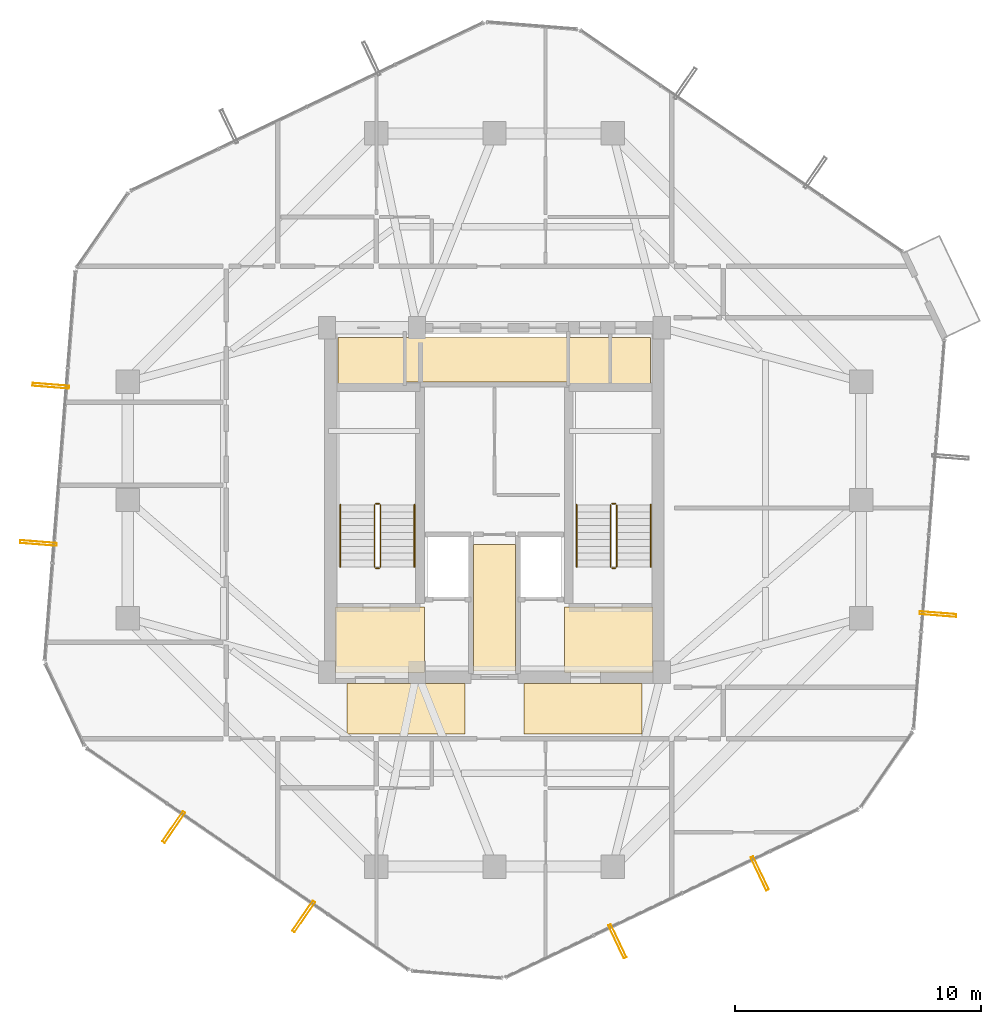
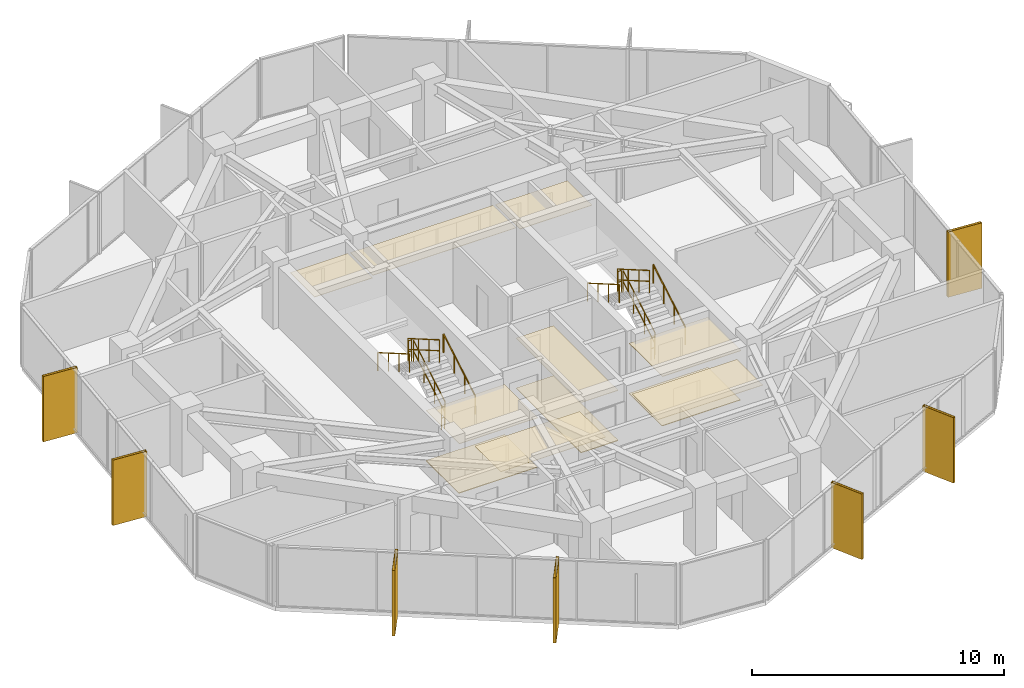
# One storey, part 28 of 29: 12 railings, 11 coverings, 7 shading devices.
"""IFC4 building model written with IfcOpenShell, lengths in metres."""

from ifc_helpers import new_model, si_unit, direction, frame, origin, origin_2d, place, context, subcontext, project, spatial, polyline, hollow_rectangle, circle, outline, extrude, material, layer, layer_set, material_profile, profile_set, type_object, element, save


model = new_model("IFC4")

# Units and contexts
model_context = context("Model", 3, precision=1e-05, world=origin(), true_north=direction((0.0, 1.0)))
body_context = subcontext(model_context, "Body", "Model", "MODEL_VIEW")
ifc_project = project(units=[si_unit("LENGTHUNIT", "METRE"), si_unit("AREAUNIT", "SQUARE_METRE"), si_unit("VOLUMEUNIT", "CUBIC_METRE"), si_unit("PLANEANGLEUNIT", "RADIAN"), si_unit("MASSUNIT", "GRAM", prefix="KILO")], contexts=[model_context])

# Site, building, storey
site_placement = place(None, origin())
site = spatial("IfcSite", under=ifc_project, at=site_placement, CompositionType="ELEMENT")
building_placement = place(site_placement, origin())
building = spatial("IfcBuilding", under=site, at=building_placement, Name="Veraguas Prism Commons", CompositionType="ELEMENT")
storey_placement = place(building_placement, frame((0.0, 0.0, 222.14990234375)))
storey = spatial("IfcBuildingStorey", under=building, at=storey_placement, Name="L63", CompositionType="ELEMENT", Elevation=222.14990234375)

# Shading devices
ifc_material_1 = material(Name="Anodised aluminium EN AW-6063 T6", Category="aluminium")
ifc_material_profile = material_profile(ifc_material_1, hollow_rectangle(XDim=0.1201171875, YDim=1.489990234375, WallThickness=0.006103515625, at=origin_2d()), Name="FIN120X1490X6")
ifc_profile_set = profile_set([ifc_material_profile], Name="Anodised aluminium EN AW-6063 T6")
shading_device_type = type_object("IfcShadingDeviceType", Name="Deep Pale-Metal Vertical Solar Fin 120x1490", PredefinedType="USERDEFINED", material=ifc_profile_set)
for number, where, z_axis, x_axis, name in (
    (1, (5.974365234375, 28.639404296875, -0.21484375), (0.0, 0.0, 1.0), (-0.078808820639, -0.996889748061, 0.0), "Vertical Pale-Metal Solar Fin L63-F3A"),
    (2, (5.46923828125, 22.25048828125, -0.21484375), (0.0, 0.0, 1.0), (-0.078808820639, -0.996889748061, 0.0), "Vertical Pale-Metal Solar Fin L63-F3B"),
    (3, (10.96923828125, 10.708984375, -0.21484375), (0.0, 0.0, 1.0), (0.823925458129, -0.566698190792, 0.0), "Vertical Pale-Metal Solar Fin L63-F4A"),
    (4, (16.249755859375, 7.0771484375, -0.21484375), (0.0, 0.0, 1.0), (0.823925458129, -0.566698190792, 0.0), "Vertical Pale-Metal Solar Fin L63-F4B"),
    (5, (28.9951171875, 6.069580078125, -0.21484375), (0.0, 0.0, 1.0), (0.902734755245, 0.430197584457, 0.0), "Vertical Pale-Metal Solar Fin L63-F5A"),
    (6, (34.780517578125, 8.826904296875, -0.21484375), (0.0, 0.0, 1.0), (0.902734755245, 0.430197584457, 0.0), "Vertical Pale-Metal Solar Fin L63-F5B"),
    (7, (42.025634765625, 19.360595703125, -0.21484375), (0.0, 0.0, 1.0), (0.078808820639, 0.996889748061, 0.0), "Vertical Pale-Metal Solar Fin L63-F6A"),
):
    element("IfcShadingDevice", number, at=place(storey_placement, frame(where, z_axis=z_axis, x_axis=x_axis)), inside=storey, type_object=shading_device_type, Name=name, ObjectType="FIN", PredefinedType="USERDEFINED", context=body_context, shape_type="SweptSolid", body=[
        extrude(hollow_rectangle(XDim=0.1201171875, YDim=1.489990234375, WallThickness=0.006103515625, at=origin_2d()), origin(), (0.0, 0.0, 1.0), 3.1650390625),
    ])

# Coverings
ifc_material_2 = material(Name="Acoustic gypsum board")
ifc_layer_1 = layer(ifc_material_2, 0.02490234375, Name="Perforated Acoustic Ceiling Tile 25")
ifc_layer_set_1 = layer_set([ifc_layer_1], Name="Acoustic gypsum board")
covering_type_1 = type_object("IfcCoveringType", Name="Perforated Acoustic Ceiling Tile 25", PredefinedType="USERDEFINED", material=ifc_layer_set_1)
covering_1_placement = place(storey_placement, frame((0.0, 0.0, 2.425048828125)))
element("IfcCovering", 8, at=covering_1_placement, inside=storey, type_object=covering_type_1, Name="East Lobby Acoustic Ceiling L63", ObjectType="ACOUSTIC CEILING", PredefinedType="USERDEFINED", context=body_context, shape_type="SweptSolid", body=[
    extrude(outline(polyline([(26.85009765625, 17.0), (30.449951171875, 17.0), (30.449951171875, 19.64990234375), (26.85009765625, 19.64990234375), (26.85009765625, 17.0)])), origin(), (0.0, 0.0, 1.0), 0.025146484375),
])
ifc_material_3 = material(Name="Terrazzo stone finish", Category="masonry")
ifc_layer_2 = layer(ifc_material_3, 0.030029296875, Name="Polished Terrazzo Floor Finish 30", Category="masonry")
ifc_layer_set_2 = layer_set([ifc_layer_2], Name="Terrazzo stone finish")
covering_type_2 = type_object("IfcCoveringType", Name="Polished Terrazzo Floor Finish 30", PredefinedType="FLOORING", material=ifc_layer_set_2)
covering_2_placement = place(storey_placement, origin())
element("IfcCovering", 9, at=covering_2_placement, inside=storey, type_object=covering_type_2, Name="Terrazzo Lobby Flooring L63", PredefinedType="FLOORING", context=body_context, shape_type="SweptSolid", body=[
    extrude(outline(polyline([(23.14990234375, 17.050048828125), (24.85009765625, 17.050048828125), (24.85009765625, 22.199951171875), (23.14990234375, 22.199951171875), (23.14990234375, 17.050048828125)])), origin(), (0.0, 0.0, 1.0), 0.030029296875),
])
covering_3_placement = place(storey_placement, origin())
element("IfcCovering", 10, at=covering_3_placement, inside=storey, type_object=covering_type_2, Name="West FF Lobby Terrazzo Flooring L63", PredefinedType="FLOORING", context=body_context, shape_type="SweptSolid", body=[
    extrude(outline(polyline([(17.550048828125, 17.050048828125), (21.14990234375, 17.050048828125), (21.14990234375, 19.64990234375), (17.550048828125, 19.64990234375), (17.550048828125, 17.050048828125)])), origin(), (0.0, 0.0, 1.0), 0.030029296875),
])
covering_4_placement = place(storey_placement, origin())
element("IfcCovering", 11, at=covering_4_placement, inside=storey, type_object=covering_type_2, Name="East FF Lobby Terrazzo Flooring L63", PredefinedType="FLOORING", context=body_context, shape_type="SweptSolid", body=[
    extrude(outline(polyline([(26.85009765625, 17.050048828125), (30.449951171875, 17.050048828125), (30.449951171875, 19.64990234375), (26.85009765625, 19.64990234375), (26.85009765625, 17.050048828125)])), origin(), (0.0, 0.0, 1.0), 0.030029296875),
])

# Railings
ifc_material_4 = material(Name="Stainless steel AISI 316", Category="steel")
railing_type_1 = type_object("IfcRailingType", Name="Stair and Ramp Stainless Handrail 900", PredefinedType="HANDRAIL", material=ifc_material_4)
railing_1_placement = place(storey_placement, frame((20.75, 21.280029296875, 0.16259765625)))
element("IfcRailing", 12, at=railing_1_placement, inside=storey, type_object=railing_type_1, Name="Stair Handrail ST-01 L63-1", PredefinedType="HANDRAIL", context=body_context, shape_type="SweptSolid", body=[
    extrude(circle(Radius=0.02392578125, at=origin_2d()), frame((0.0, 0.0, 0.8759765625), z_axis=(0.0, 0.864913338283, 0.50192122615), x_axis=(-1.0, 0.0, 0.0)), (0.0, 0.0, 1.0), 2.91357421875),
    extrude(circle(Radius=0.02099609375, at=origin_2d()), origin(), (0.0, 0.0, 1.0), 0.851806640625),
    extrude(circle(Radius=0.02099609375, at=origin_2d()), frame((0.0, 0.840087890625, 0.487548828125)), (0.0, 0.0, 1.0), 0.851806640625),
    extrude(circle(Radius=0.02099609375, at=origin_2d()), frame((0.0, 1.679931640625, 0.974853515625)), (0.0, 0.0, 1.0), 0.851806640625),
    extrude(circle(Radius=0.02099609375, at=origin_2d()), frame((0.0, 2.52001953125, 1.46240234375)), (0.0, 0.0, 1.0), 0.851806640625),
])
railing_2_placement = place(storey_placement, frame((17.739990234375, 23.800048828125, 1.78759765625)))
element("IfcRailing", 13, at=railing_2_placement, inside=storey, type_object=railing_type_1, Name="Stair Handrail ST-01 L63-2", PredefinedType="HANDRAIL", context=body_context, shape_type="SweptSolid", body=[
    extrude(circle(Radius=0.02392578125, at=origin_2d()), frame((0.0, 0.0, 0.8759765625), z_axis=(0.0, -0.864913338283, 0.50192122615), x_axis=(1.0, 0.0, 0.0)), (0.0, 0.0, 1.0), 2.91357421875),
    extrude(circle(Radius=0.02099609375, at=origin_2d()), origin(), (0.0, 0.0, 1.0), 0.851806640625),
    extrude(circle(Radius=0.02099609375, at=origin_2d()), frame((0.0, -0.840087890625, 0.487548828125)), (0.0, 0.0, 1.0), 0.851806640625),
    extrude(circle(Radius=0.02099609375, at=origin_2d()), frame((0.0, -1.679931640625, 0.974853515625)), (0.0, 0.0, 1.0), 0.851806640625),
    extrude(circle(Radius=0.02099609375, at=origin_2d()), frame((0.0, -2.52001953125, 1.46240234375)), (0.0, 0.0, 1.0), 0.851806640625),
])
railing_3_placement = place(storey_placement, frame((30.35009765625, 21.280029296875, 0.16259765625)))
element("IfcRailing", 14, at=railing_3_placement, inside=storey, type_object=railing_type_1, Name="Stair Handrail ST-02 L63-1", PredefinedType="HANDRAIL", context=body_context, shape_type="SweptSolid", body=[
    extrude(circle(Radius=0.02392578125, at=origin_2d()), frame((0.0, 0.0, 0.8759765625), z_axis=(0.0, 0.864913338283, 0.50192122615), x_axis=(-1.0, 0.0, 0.0)), (0.0, 0.0, 1.0), 2.91357421875),
    extrude(circle(Radius=0.02099609375, at=origin_2d()), origin(), (0.0, 0.0, 1.0), 0.851806640625),
    extrude(circle(Radius=0.02099609375, at=origin_2d()), frame((0.0, 0.840087890625, 0.487548828125)), (0.0, 0.0, 1.0), 0.851806640625),
    extrude(circle(Radius=0.02099609375, at=origin_2d()), frame((0.0, 1.679931640625, 0.974853515625)), (0.0, 0.0, 1.0), 0.851806640625),
    extrude(circle(Radius=0.02099609375, at=origin_2d()), frame((0.0, 2.52001953125, 1.46240234375)), (0.0, 0.0, 1.0), 0.851806640625),
])
railing_4_placement = place(storey_placement, frame((27.340087890625, 23.800048828125, 1.78759765625)))
element("IfcRailing", 15, at=railing_4_placement, inside=storey, type_object=railing_type_1, Name="Stair Handrail ST-02 L63-2", PredefinedType="HANDRAIL", context=body_context, shape_type="SweptSolid", body=[
    extrude(circle(Radius=0.02392578125, at=origin_2d()), frame((0.0, 0.0, 0.8759765625), z_axis=(0.0, -0.864913338283, 0.50192122615), x_axis=(1.0, 0.0, 0.0)), (0.0, 0.0, 1.0), 2.91357421875),
    extrude(circle(Radius=0.02099609375, at=origin_2d()), origin(), (0.0, 0.0, 1.0), 0.851806640625),
    extrude(circle(Radius=0.02099609375, at=origin_2d()), frame((0.0, -0.840087890625, 0.487548828125)), (0.0, 0.0, 1.0), 0.851806640625),
    extrude(circle(Radius=0.02099609375, at=origin_2d()), frame((0.0, -1.679931640625, 0.974853515625)), (0.0, 0.0, 1.0), 0.851806640625),
    extrude(circle(Radius=0.02099609375, at=origin_2d()), frame((0.0, -2.52001953125, 1.46240234375)), (0.0, 0.0, 1.0), 0.851806640625),
])
railing_type_2 = type_object("IfcRailingType", Name="Stairwell Safety Guardrail 1100", PredefinedType="GUARDRAIL", material=ifc_material_4)
railing_5_placement = place(storey_placement, frame((19.3701171875, 21.280029296875, 0.16259765625)))
element("IfcRailing", 16, at=railing_5_placement, inside=storey, type_object=railing_type_2, Name="Stair Guard ST-01 L63-1", PredefinedType="GUARDRAIL", context=body_context, shape_type="SweptSolid", body=[
    extrude(circle(Radius=0.02392578125, at=origin_2d()), frame((0.0, 0.0, 1.076171875), z_axis=(0.0, 0.864913338283, 0.50192122615), x_axis=(-1.0, 0.0, 0.0)), (0.0, 0.0, 1.0), 2.91357421875),
    extrude(circle(Radius=0.02392578125, at=origin_2d()), frame((0.0, 0.0, 0.550048828125), z_axis=(0.0, 0.864913338283, 0.50192122615), x_axis=(-1.0, 0.0, 0.0)), (0.0, 0.0, 1.0), 2.91357421875),
    extrude(circle(Radius=0.02099609375, at=origin_2d()), origin(), (0.0, 0.0, 1.0), 1.052001953125),
    extrude(circle(Radius=0.02099609375, at=origin_2d()), frame((0.0, 0.840087890625, 0.487548828125)), (0.0, 0.0, 1.0), 1.052001953125),
    extrude(circle(Radius=0.02099609375, at=origin_2d()), frame((0.0, 1.679931640625, 0.974853515625)), (0.0, 0.0, 1.0), 1.052001953125),
    extrude(circle(Radius=0.02099609375, at=origin_2d()), frame((0.0, 2.52001953125, 1.46240234375)), (0.0, 0.0, 1.0), 1.052001953125),
])
railing_6_placement = place(storey_placement, frame((19.320068359375, 23.85009765625, 1.625)))
element("IfcRailing", 17, at=railing_6_placement, inside=storey, type_object=railing_type_2, Name="Stair Guard ST-01 L63-2", PredefinedType="GUARDRAIL", context=body_context, shape_type="SweptSolid", body=[
    extrude(circle(Radius=0.02392578125, at=origin_2d()), frame((0.0, 0.0, 1.076171875), z_axis=(-1.0, 0.0, 0.0), x_axis=(0.0, -1.0, 0.0)), (0.0, 0.0, 1.0), 0.150146484375),
    extrude(circle(Radius=0.02392578125, at=origin_2d()), frame((0.0, 0.0, 0.550048828125), z_axis=(-1.0, 0.0, 0.0), x_axis=(0.0, -1.0, 0.0)), (0.0, 0.0, 1.0), 0.150146484375),
    extrude(circle(Radius=0.02099609375, at=origin_2d()), origin(), (0.0, 0.0, 1.0), 1.052001953125),
    extrude(circle(Radius=0.02099609375, at=origin_2d()), frame((-0.150146484375, 0.0, 0.0)), (0.0, 0.0, 1.0), 1.052001953125),
])
railing_7_placement = place(storey_placement, frame((19.1201171875, 23.800048828125, 1.78759765625)))
element("IfcRailing", 18, at=railing_7_placement, inside=storey, type_object=railing_type_2, Name="Stair Guard ST-01 L63-3", PredefinedType="GUARDRAIL", context=body_context, shape_type="SweptSolid", body=[
    extrude(circle(Radius=0.02392578125, at=origin_2d()), frame((0.0, 0.0, 1.076171875), z_axis=(0.0, -0.864913338283, 0.50192122615), x_axis=(1.0, 0.0, 0.0)), (0.0, 0.0, 1.0), 2.91357421875),
    extrude(circle(Radius=0.02392578125, at=origin_2d()), frame((0.0, 0.0, 0.550048828125), z_axis=(0.0, -0.864913338283, 0.50192122615), x_axis=(1.0, 0.0, 0.0)), (0.0, 0.0, 1.0), 2.91357421875),
    extrude(circle(Radius=0.02099609375, at=origin_2d()), origin(), (0.0, 0.0, 1.0), 1.052001953125),
    extrude(circle(Radius=0.02099609375, at=origin_2d()), frame((0.0, -0.840087890625, 0.487548828125)), (0.0, 0.0, 1.0), 1.052001953125),
    extrude(circle(Radius=0.02099609375, at=origin_2d()), frame((0.0, -1.679931640625, 0.974853515625)), (0.0, 0.0, 1.0), 1.052001953125),
    extrude(circle(Radius=0.02099609375, at=origin_2d()), frame((0.0, -2.52001953125, 1.46240234375)), (0.0, 0.0, 1.0), 1.052001953125),
])
railing_8_placement = place(storey_placement, frame((19.320068359375, 21.22998046875, 0.0)))
element("IfcRailing", 19, at=railing_8_placement, inside=storey, type_object=railing_type_2, Name="Stair Guard ST-01 L63-4", PredefinedType="GUARDRAIL", context=body_context, shape_type="SweptSolid", body=[
    extrude(circle(Radius=0.02392578125, at=origin_2d()), frame((0.0, 0.0, 1.076171875), z_axis=(-1.0, 0.0, 0.0), x_axis=(0.0, -1.0, 0.0)), (0.0, 0.0, 1.0), 0.150146484375),
    extrude(circle(Radius=0.02392578125, at=origin_2d()), frame((0.0, 0.0, 0.550048828125), z_axis=(-1.0, 0.0, 0.0), x_axis=(0.0, -1.0, 0.0)), (0.0, 0.0, 1.0), 0.150146484375),
    extrude(circle(Radius=0.02099609375, at=origin_2d()), origin(), (0.0, 0.0, 1.0), 1.052001953125),
    extrude(circle(Radius=0.02099609375, at=origin_2d()), frame((-0.150146484375, 0.0, 0.0)), (0.0, 0.0, 1.0), 1.052001953125),
])
railing_9_placement = place(storey_placement, frame((28.969970703125, 21.280029296875, 0.16259765625)))
element("IfcRailing", 20, at=railing_9_placement, inside=storey, type_object=railing_type_2, Name="Stair Guard ST-02 L63-1", PredefinedType="GUARDRAIL", context=body_context, shape_type="SweptSolid", body=[
    extrude(circle(Radius=0.02392578125, at=origin_2d()), frame((0.0, 0.0, 1.076171875), z_axis=(0.0, 0.864913338283, 0.50192122615), x_axis=(-1.0, 0.0, 0.0)), (0.0, 0.0, 1.0), 2.91357421875),
    extrude(circle(Radius=0.02392578125, at=origin_2d()), frame((0.0, 0.0, 0.550048828125), z_axis=(0.0, 0.864913338283, 0.50192122615), x_axis=(-1.0, 0.0, 0.0)), (0.0, 0.0, 1.0), 2.91357421875),
    extrude(circle(Radius=0.02099609375, at=origin_2d()), origin(), (0.0, 0.0, 1.0), 1.052001953125),
    extrude(circle(Radius=0.02099609375, at=origin_2d()), frame((0.0, 0.840087890625, 0.487548828125)), (0.0, 0.0, 1.0), 1.052001953125),
    extrude(circle(Radius=0.02099609375, at=origin_2d()), frame((0.0, 1.679931640625, 0.974853515625)), (0.0, 0.0, 1.0), 1.052001953125),
    extrude(circle(Radius=0.02099609375, at=origin_2d()), frame((0.0, 2.52001953125, 1.46240234375)), (0.0, 0.0, 1.0), 1.052001953125),
])
railing_10_placement = place(storey_placement, frame((28.919921875, 23.85009765625, 1.625)))
element("IfcRailing", 21, at=railing_10_placement, inside=storey, type_object=railing_type_2, Name="Stair Guard ST-02 L63-2", PredefinedType="GUARDRAIL", context=body_context, shape_type="SweptSolid", body=[
    extrude(circle(Radius=0.02392578125, at=origin_2d()), frame((0.0, 0.0, 1.076171875), z_axis=(-1.0, 0.0, 0.0), x_axis=(0.0, -1.0, 0.0)), (0.0, 0.0, 1.0), 0.14990234375),
    extrude(circle(Radius=0.02392578125, at=origin_2d()), frame((0.0, 0.0, 0.550048828125), z_axis=(-1.0, 0.0, 0.0), x_axis=(0.0, -1.0, 0.0)), (0.0, 0.0, 1.0), 0.14990234375),
    extrude(circle(Radius=0.02099609375, at=origin_2d()), origin(), (0.0, 0.0, 1.0), 1.052001953125),
    extrude(circle(Radius=0.02099609375, at=origin_2d()), frame((-0.14990234375, 0.0, 0.0)), (0.0, 0.0, 1.0), 1.052001953125),
])
railing_11_placement = place(storey_placement, frame((28.719970703125, 23.800048828125, 1.78759765625)))
element("IfcRailing", 22, at=railing_11_placement, inside=storey, type_object=railing_type_2, Name="Stair Guard ST-02 L63-3", PredefinedType="GUARDRAIL", context=body_context, shape_type="SweptSolid", body=[
    extrude(circle(Radius=0.02392578125, at=origin_2d()), frame((0.0, 0.0, 1.076171875), z_axis=(0.0, -0.864913338283, 0.50192122615), x_axis=(1.0, 0.0, 0.0)), (0.0, 0.0, 1.0), 2.91357421875),
    extrude(circle(Radius=0.02392578125, at=origin_2d()), frame((0.0, 0.0, 0.550048828125), z_axis=(0.0, -0.864913338283, 0.50192122615), x_axis=(1.0, 0.0, 0.0)), (0.0, 0.0, 1.0), 2.91357421875),
    extrude(circle(Radius=0.02099609375, at=origin_2d()), origin(), (0.0, 0.0, 1.0), 1.052001953125),
    extrude(circle(Radius=0.02099609375, at=origin_2d()), frame((0.0, -0.840087890625, 0.487548828125)), (0.0, 0.0, 1.0), 1.052001953125),
    extrude(circle(Radius=0.02099609375, at=origin_2d()), frame((0.0, -1.679931640625, 0.974853515625)), (0.0, 0.0, 1.0), 1.052001953125),
    extrude(circle(Radius=0.02099609375, at=origin_2d()), frame((0.0, -2.52001953125, 1.46240234375)), (0.0, 0.0, 1.0), 1.052001953125),
])
railing_12_placement = place(storey_placement, frame((28.919921875, 21.22998046875, 0.0)))
element("IfcRailing", 23, at=railing_12_placement, inside=storey, type_object=railing_type_2, Name="Stair Guard ST-02 L63-4", PredefinedType="GUARDRAIL", context=body_context, shape_type="SweptSolid", body=[
    extrude(circle(Radius=0.02392578125, at=origin_2d()), frame((0.0, 0.0, 1.076171875), z_axis=(-1.0, 0.0, 0.0), x_axis=(0.0, -1.0, 0.0)), (0.0, 0.0, 1.0), 0.14990234375),
    extrude(circle(Radius=0.02392578125, at=origin_2d()), frame((0.0, 0.0, 0.550048828125), z_axis=(-1.0, 0.0, 0.0), x_axis=(0.0, -1.0, 0.0)), (0.0, 0.0, 1.0), 0.14990234375),
    extrude(circle(Radius=0.02099609375, at=origin_2d()), origin(), (0.0, 0.0, 1.0), 1.052001953125),
    extrude(circle(Radius=0.02099609375, at=origin_2d()), frame((-0.14990234375, 0.0, 0.0)), (0.0, 0.0, 1.0), 1.052001953125),
])

# Coverings
ifc_layer_3 = layer(ifc_material_2, 0.02001953125, Name="Suspended Gypsum Ceiling 20")
ifc_layer_set_3 = layer_set([ifc_layer_3], Name="Acoustic gypsum board")
covering_type_3 = type_object("IfcCoveringType", Name="Suspended Gypsum Ceiling 20", PredefinedType="CEILING", material=ifc_layer_set_3)
covering_5_placement = place(storey_placement, frame((0.0, 0.0, 2.43017578125)))
element("IfcCovering", 24, at=covering_5_placement, inside=storey, type_object=covering_type_3, Name="West Lobby Suspended Gypsum Ceiling L63", PredefinedType="CEILING", context=body_context, shape_type="SweptSolid", body=[
    extrude(outline(polyline([(17.550048828125, 17.0), (21.14990234375, 17.0), (21.14990234375, 19.64990234375), (17.550048828125, 19.64990234375), (17.550048828125, 17.0)])), origin(), (0.0, 0.0, 1.0), 0.02001953125),
])
covering_6_placement = place(storey_placement, frame((0.0, 0.0, 2.43017578125)))
element("IfcCovering", 25, at=covering_6_placement, inside=storey, type_object=covering_type_3, Name="Core Lobby Acoustic Ceiling L63-1", PredefinedType="CEILING", context=body_context, shape_type="SweptSolid", body=[
    extrude(outline(polyline([(18.0, 14.5), (22.800048828125, 14.5), (22.800048828125, 16.550048828125), (18.0, 16.550048828125), (18.0, 14.5)])), origin(), (0.0, 0.0, 1.0), 0.02001953125),
])
covering_7_placement = place(storey_placement, frame((0.0, 0.0, 2.43017578125)))
element("IfcCovering", 26, at=covering_7_placement, inside=storey, type_object=covering_type_3, Name="Core Lobby Acoustic Ceiling L63-2", PredefinedType="CEILING", context=body_context, shape_type="SweptSolid", body=[
    extrude(outline(polyline([(25.199951171875, 14.5), (30.0, 14.5), (30.0, 16.550048828125), (25.199951171875, 16.550048828125), (25.199951171875, 14.5)])), origin(), (0.0, 0.0, 1.0), 0.02001953125),
])
covering_8_placement = place(storey_placement, frame((0.0, 0.0, 2.43017578125)))
element("IfcCovering", 27, at=covering_8_placement, inside=storey, type_object=covering_type_3, Name="Core Lobby Acoustic Ceiling L63-3", PredefinedType="CEILING", context=body_context, shape_type="SweptSolid", body=[
    extrude(outline(polyline([(23.14990234375, 17.050048828125), (24.85009765625, 17.050048828125), (24.85009765625, 22.199951171875), (23.14990234375, 22.199951171875), (23.14990234375, 17.050048828125)])), origin(), (0.0, 0.0, 1.0), 0.02001953125),
])
covering_9_placement = place(storey_placement, frame((0.0, 0.0, 2.43017578125)))
element("IfcCovering", 28, at=covering_9_placement, inside=storey, type_object=covering_type_3, Name="Core Lobby Acoustic Ceiling L63-4", PredefinedType="CEILING", context=body_context, shape_type="SweptSolid", body=[
    extrude(outline(polyline([(17.64990234375, 28.64990234375), (20.300048828125, 28.64990234375), (20.300048828125, 30.60009765625), (17.64990234375, 30.60009765625), (17.64990234375, 28.64990234375)])), origin(), (0.0, 0.0, 1.0), 0.02001953125),
])
covering_10_placement = place(storey_placement, frame((0.0, 0.0, 2.43017578125)))
element("IfcCovering", 29, at=covering_10_placement, inside=storey, type_object=covering_type_3, Name="Core Lobby Acoustic Ceiling L63-5", PredefinedType="CEILING", context=body_context, shape_type="SweptSolid", body=[
    extrude(outline(polyline([(27.050048828125, 28.64990234375), (30.35009765625, 28.64990234375), (30.35009765625, 30.60009765625), (27.050048828125, 30.60009765625), (27.050048828125, 28.64990234375)])), origin(), (0.0, 0.0, 1.0), 0.02001953125),
])
covering_11_placement = place(storey_placement, frame((0.0, 0.0, 2.43017578125)))
element("IfcCovering", 30, at=covering_11_placement, inside=storey, type_object=covering_type_3, Name="Core Lobby Acoustic Ceiling L63-6", PredefinedType="CEILING", context=body_context, shape_type="SweptSolid", body=[
    extrude(outline(polyline([(20.39990234375, 28.800048828125), (26.949951171875, 28.800048828125), (26.949951171875, 30.60009765625), (20.39990234375, 30.60009765625), (20.39990234375, 28.800048828125)])), origin(), (0.0, 0.0, 1.0), 0.02001953125),
])

save(model, "model.ifc")
